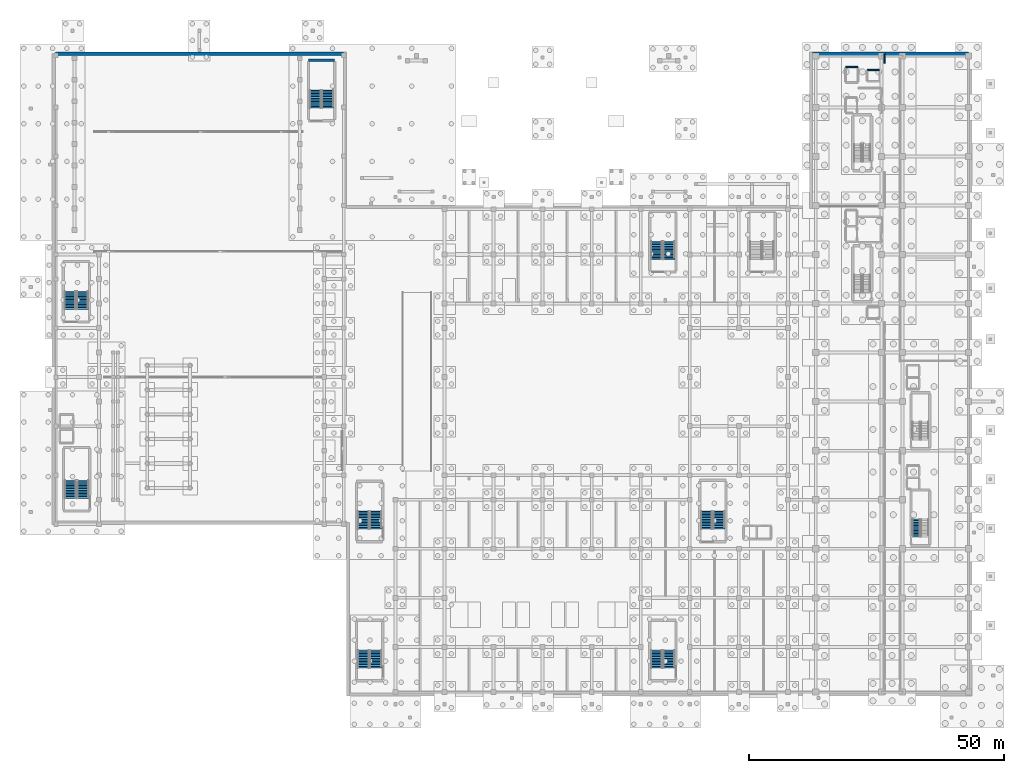
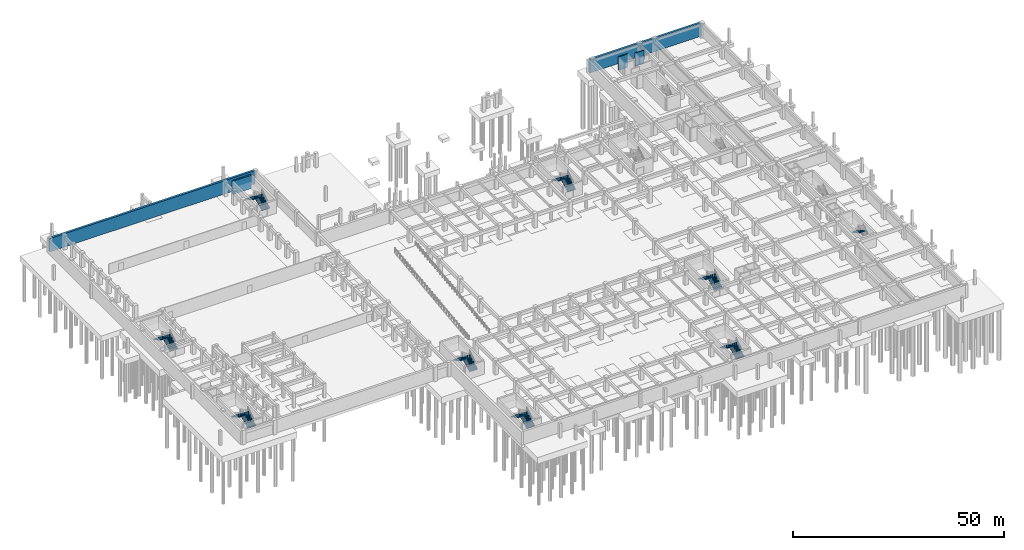
# One storey, part 24 of 39: 17 stair flights, 6 walls, 9 elements without a shape of their own.
"""IFC4 building model written with IfcOpenShell, lengths in metres."""

from ifc_helpers import new_model, si_unit, direction, frame, frame_2d, origin, place, context, subcontext, project, spatial, polyline, rectangle, outline, extrude, material, layer, layer_set, type_object, element, aggregate, save


model = new_model("IFC4")

# Units and contexts
model_context = context("Model", 3, precision=1e-05, world=origin(), true_north=direction((0.0, 1.0)))
body_context = subcontext(model_context, "Body", "Model", "MODEL_VIEW")
ifc_project = project(units=[si_unit("LENGTHUNIT", "METRE"), si_unit("AREAUNIT", "SQUARE_METRE"), si_unit("VOLUMEUNIT", "CUBIC_METRE"), si_unit("PLANEANGLEUNIT", "RADIAN"), si_unit("MASSUNIT", "GRAM", prefix="KILO")], contexts=[model_context])

# Site, building, storey
site_placement = place(None, origin())
site = spatial("IfcSite", under=ifc_project, at=site_placement, CompositionType="ELEMENT")
building_placement = place(site_placement, origin())
building = spatial("IfcBuilding", under=site, at=building_placement, Name="Nakhvara Creek Congress Hotel", CompositionType="ELEMENT")
storey_placement = place(building_placement, frame((0.0, 0.0, -8.39990234375)))
storey = spatial("IfcBuildingStorey", under=building, at=storey_placement, Name="B2", CompositionType="ELEMENT", Elevation=-8.39990234375)

# Walls
ifc_material_1 = material(Name="Concrete C50/60", Category="concrete")
ifc_layer_1 = layer(ifc_material_1, 0.449951171875)
ifc_layer_set_1 = layer_set([ifc_layer_1], Name="Concrete C50/60")
wall_type_1 = type_object("IfcWallType", Name="W-CORE-450", PredefinedType="SHEAR", material=ifc_layer_set_1)
wall_1_placement = place(storey_placement, frame((50.14990234375, 124.419921875, 0.0), z_axis=(0.0, 0.0, 1.0), x_axis=(1.0, 0.0, 0.0)))
element("IfcWall", 1, at=wall_1_placement, inside=storey, type_object=wall_type_1, Name="Core Shear Wall WS02-CWALL-B2-0872", PredefinedType="SHEAR", context=body_context, shape_type="SweptSolid", body=[
    extrude(rectangle(XDim=5.150146484375, YDim=0.449951171875, at=frame_2d((2.5751953125, 0.0))), origin(), (0.0, 0.0, 1.0), 3.85986328125),
])
ifc_material_2 = material(Name="Gypsum acoustic board on steel stud", Category="steel")
ifc_layer_2 = layer(ifc_material_2, 0.219970703125)
ifc_layer_set_2 = layer_set([ifc_layer_2], Name="Gypsum acoustic board on steel stud")
wall_type_2 = type_object("IfcWallType", Name="W-CORR-220", PredefinedType="PARTITIONING", material=ifc_layer_set_2)
wall_2_placement = place(storey_placement, frame((162.919921875, 123.800048828125, 0.0), z_axis=(0.0, 0.0, 1.0), x_axis=(0.0, 1.0, 0.0)))
element("IfcWall", 2, at=wall_2_placement, inside=storey, type_object=wall_type_2, Name="Interior Wall WP11-IW-B2-0029", PredefinedType="PARTITIONING", context=body_context, shape_type="SweptSolid", body=[
    extrude(rectangle(XDim=1.849853515625, YDim=0.219970703125, at=frame_2d((0.9248046875, 0.0))), origin(), (0.0, 0.0, 1.0), 3.101806640625),
])
ifc_material_3 = material(Name="Concrete C40/50", Category="concrete")
ifc_layer_3 = layer(ifc_material_3, 0.60009765625)
ifc_layer_set_3 = layer_set([ifc_layer_3], Name="Concrete C40/50")
wall_type_3 = type_object("IfcWallType", Name="W-RET-600", PredefinedType="USERDEFINED", material=ifc_layer_set_3)
wall_3_placement = place(storey_placement, frame((0.60009765625, 125.699951171875, 0.0), z_axis=(0.0, 0.0, 1.0), x_axis=(1.0, 0.0, 0.0)))
element("IfcWall", 3, at=wall_3_placement, inside=storey, type_object=wall_type_3, Name="Exterior Wall WR01-EW-B2-0002", ObjectType="RETAININGWALL", PredefinedType="USERDEFINED", context=body_context, shape_type="SweptSolid", body=[
    extrude(rectangle(XDim=56.39990234375, YDim=0.60009765625, at=frame_2d((28.199951171875, 0.0))), origin(), (0.0, 0.0, 1.0), 3.85986328125),
])
wall_4_placement = place(storey_placement, frame((148.800048828125, 125.699951171875, 0.0), z_axis=(0.0, 0.0, 1.0), x_axis=(1.0, 0.0, 0.0)))
element("IfcWall", 4, at=wall_4_placement, inside=storey, type_object=wall_type_3, Name="Exterior Wall WR01-EW-B2-0006", ObjectType="RETAININGWALL", PredefinedType="USERDEFINED", context=body_context, shape_type="SweptSolid", body=[
    extrude(rectangle(XDim=30.599853515625, YDim=0.60009765625, at=frame_2d((15.2998046875, 0.0))), origin(), (0.0, 0.0, 1.0), 3.85986328125),
])
ifc_layer_4 = layer(ifc_material_3, 0.25)
ifc_layer_set_4 = layer_set([ifc_layer_4], Name="Concrete C40/50")
wall_type_4 = type_object("IfcWallType", Name="W-SHAFT-250", PredefinedType="SOLIDWALL", material=ifc_layer_set_4)
for number, where, z_axis, x_axis, name in (
    (5, (159.489990234375, 122.510009765625, 0.0), (0.0, 0.0, 1.0), (1.0, 0.0, 0.0), "Core Shear Wall WI02-CWALL-B2-0277"),
    (6, (155.2900390625, 123.110107421875, 0.0), (0.0, 0.0, 1.0), (1.0, 0.0, 0.0), "Core Shear Wall WI02-CWALL-B2-0281"),
):
    element("IfcWall", number, at=place(storey_placement, frame(where, z_axis=z_axis, x_axis=x_axis)), inside=storey, type_object=wall_type_4, Name=name, PredefinedType="SOLIDWALL", context=body_context, shape_type="SweptSolid", body=[
        extrude(rectangle(XDim=2.419921875, YDim=0.25, at=frame_2d((1.2099609375, 0.0))), origin(), (0.0, 0.0, 1.0), 3.85986328125),
    ])

# Stair, stair flight
stair_type_1 = type_object("IfcStairType", Name="ST-CORE-160", PredefinedType="HALF_TURN_STAIR", material=ifc_material_3)
stair_1_placement = place(storey_placement, origin())
stair_1 = element("IfcStair", 7, at=stair_1_placement, inside=storey, type_object=stair_type_1, Name="B2 Protected Exit Stair ST03", PredefinedType="HALF_TURN_STAIR")
ifc_layer_5 = layer(ifc_material_3, 0.18994140625)
ifc_layer_set_5 = layer_set([ifc_layer_5], Name="Concrete C40/50")
stair_flight_type_1 = type_object("IfcStairFlightType", Name="SFL-RC-160", PredefinedType="STRAIGHT", material=ifc_layer_set_5)
stair_flight_1_placement = place(storey_placement, frame((169.090087890625, 34.60498046875, 2.099853515625), z_axis=(0.0, 0.0, 1.0), x_axis=(0.0, -1.0, 0.0)))
stair_flight_1 = element("IfcStairFlight", 8, at=stair_flight_1_placement, type_object=stair_flight_type_1, Name="ST03 flight 2", NumberOfRisers=12, NumberOfTreads=11, PredefinedType="STRAIGHT", RiserHeight=0.175, TreadLength=0.315, context=body_context, shape_type="SweptSolid", body=[
    extrude(outline(polyline([(-0.048095703125, 0.0), (0.0, 0.0), (0.0, 0.175048828125), (0.31494140625, 0.175048828125), (0.31494140625, 0.35009765625), (0.6298828125, 0.35009765625), (0.6298828125, 0.52490234375), (0.945068359375, 0.52490234375), (0.945068359375, 0.699951171875), (1.260009765625, 0.699951171875), (1.260009765625, 0.875), (1.574951171875, 0.875), (1.574951171875, 1.050048828125), (1.889892578125, 1.050048828125), (1.889892578125, 1.22509765625), (2.205078125, 1.22509765625), (2.205078125, 1.39990234375), (2.52001953125, 1.39990234375), (2.52001953125, 1.574951171875), (2.8349609375, 1.574951171875), (2.8349609375, 1.75), (3.14990234375, 1.75), (3.14990234375, 1.925048828125), (3.465087890625, 1.925048828125), (3.465087890625, 2.10009765625), (3.51318359375, 2.10009765625), (3.51318359375, 1.9501953125), (3.465087890625, 1.75341796875), (0.038818359375, -0.14990234375), (-0.048095703125, -0.14990234375), (-0.048095703125, 0.0)])), frame((0.0, 0.77001953125, 0.0), z_axis=(0.0, -1.0, 0.0), x_axis=(1.0, 0.0, 0.0)), (0.0, 0.0, 1.0), 1.5400390625),
])
aggregate(stair_1, [stair_flight_1])

# Stair, stair flights
stair_type_2 = type_object("IfcStairType", Name="ST-CORE-230", PredefinedType="HALF_TURN_STAIR", material=ifc_material_3)
stair_2_placement = place(storey_placement, origin())
stair_2 = element("IfcStair", 9, at=stair_2_placement, inside=storey, type_object=stair_type_2, Name="B2 Protected Exit Stair ST05", PredefinedType="HALF_TURN_STAIR")
ifc_layer_6 = layer(ifc_material_3, 0.219970703125)
ifc_layer_set_6 = layer_set([ifc_layer_6], Name="Concrete C40/50")
stair_flight_type_2 = type_object("IfcStairFlightType", Name="SFL-RC-230", PredefinedType="STRAIGHT", material=ifc_layer_set_6)
stair_flight_2_placement = place(storey_placement, frame((6.02001953125, 38.679931640625, 0.0), z_axis=(0.0, 0.0, 1.0), x_axis=(0.0, 1.0, 0.0)))
stair_flight_2 = element("IfcStairFlight", 10, at=stair_flight_2_placement, type_object=stair_flight_type_2, Name="ST05 flight 1", NumberOfRisers=12, NumberOfTreads=11, PredefinedType="STRAIGHT", RiserHeight=0.175, TreadLength=0.315, context=body_context, shape_type="SweptSolid", body=[
    extrude(outline(polyline([(-0.048095703125, 0.0), (0.0, 0.0), (0.0, 0.175048828125), (0.31494140625, 0.175048828125), (0.31494140625, 0.35009765625), (0.6298828125, 0.35009765625), (0.6298828125, 0.52490234375), (0.945068359375, 0.52490234375), (0.945068359375, 0.699951171875), (1.260009765625, 0.699951171875), (1.260009765625, 0.875), (1.574951171875, 0.875), (1.574951171875, 1.050048828125), (1.889892578125, 1.050048828125), (1.889892578125, 1.22509765625), (2.205078125, 1.22509765625), (2.205078125, 1.39990234375), (2.52001953125, 1.39990234375), (2.52001953125, 1.574951171875), (2.8349609375, 1.574951171875), (2.8349609375, 1.75), (3.14990234375, 1.75), (3.14990234375, 1.925048828125), (3.465087890625, 1.925048828125), (3.465087890625, 2.10009765625), (3.51318359375, 2.10009765625), (3.51318359375, 1.9501953125), (3.465087890625, 1.75341796875), (0.038818359375, -0.14990234375), (-0.048095703125, -0.14990234375), (-0.048095703125, 0.0)])), frame((0.0, 1.14013671875, 0.0), z_axis=(0.0, -1.0, 0.0), x_axis=(1.0, 0.0, 0.0)), (0.0, 0.0, 1.0), 2.280029296875),
])
stair_flight_3_placement = place(storey_placement, frame((3.590087890625, 42.14501953125, 2.099853515625), z_axis=(0.0, 0.0, 1.0), x_axis=(0.0, -1.0, 0.0)))
stair_flight_3 = element("IfcStairFlight", 11, at=stair_flight_3_placement, type_object=stair_flight_type_2, Name="ST05 flight 2", NumberOfRisers=12, NumberOfTreads=11, PredefinedType="STRAIGHT", RiserHeight=0.175, TreadLength=0.315, context=body_context, shape_type="SweptSolid", body=[
    extrude(outline(polyline([(-0.048095703125, 0.0), (0.0, 0.0), (0.0, 0.175048828125), (0.31494140625, 0.175048828125), (0.31494140625, 0.35009765625), (0.6298828125, 0.35009765625), (0.6298828125, 0.52490234375), (0.945068359375, 0.52490234375), (0.945068359375, 0.699951171875), (1.260009765625, 0.699951171875), (1.260009765625, 0.875), (1.574951171875, 0.875), (1.574951171875, 1.050048828125), (1.889892578125, 1.050048828125), (1.889892578125, 1.22509765625), (2.205078125, 1.22509765625), (2.205078125, 1.39990234375), (2.52001953125, 1.39990234375), (2.52001953125, 1.574951171875), (2.8349609375, 1.574951171875), (2.8349609375, 1.75), (3.14990234375, 1.75), (3.14990234375, 1.925048828125), (3.465087890625, 1.925048828125), (3.465087890625, 2.10009765625), (3.51318359375, 2.10009765625), (3.51318359375, 1.9501953125), (3.465087890625, 1.75341796875), (0.038818359375, -0.14990234375), (-0.048095703125, -0.14990234375), (-0.048095703125, 0.0)])), frame((0.0, 1.14013671875, 0.0), z_axis=(0.0, -1.0, 0.0), x_axis=(1.0, 0.0, 0.0)), (0.0, 0.0, 1.0), 2.280029296875),
])
aggregate(stair_2, [stair_flight_2, stair_flight_3])

stair_3_placement = place(storey_placement, origin())
stair_3 = element("IfcStair", 12, at=stair_3_placement, inside=storey, type_object=stair_type_2, Name="B2 Protected Exit Stair ST06", PredefinedType="HALF_TURN_STAIR")
stair_flight_4_placement = place(storey_placement, frame((130.52001953125, 32.679931640625, 0.0), z_axis=(0.0, 0.0, 1.0), x_axis=(0.0, 1.0, 0.0)))
stair_flight_4 = element("IfcStairFlight", 13, at=stair_flight_4_placement, type_object=stair_flight_type_2, Name="ST06 flight 1", NumberOfRisers=12, NumberOfTreads=11, PredefinedType="STRAIGHT", RiserHeight=0.175, TreadLength=0.315, context=body_context, shape_type="SweptSolid", body=[
    extrude(outline(polyline([(-0.048095703125, 0.0), (0.0, 0.0), (0.0, 0.175048828125), (0.31494140625, 0.175048828125), (0.31494140625, 0.35009765625), (0.6298828125, 0.35009765625), (0.6298828125, 0.52490234375), (0.945068359375, 0.52490234375), (0.945068359375, 0.699951171875), (1.260009765625, 0.699951171875), (1.260009765625, 0.875), (1.574951171875, 0.875), (1.574951171875, 1.050048828125), (1.889892578125, 1.050048828125), (1.889892578125, 1.22509765625), (2.205078125, 1.22509765625), (2.205078125, 1.39990234375), (2.52001953125, 1.39990234375), (2.52001953125, 1.574951171875), (2.8349609375, 1.574951171875), (2.8349609375, 1.75), (3.14990234375, 1.75), (3.14990234375, 1.925048828125), (3.465087890625, 1.925048828125), (3.465087890625, 2.10009765625), (3.51318359375, 2.10009765625), (3.51318359375, 1.9501953125), (3.465087890625, 1.75341796875), (0.038818359375, -0.14990234375), (-0.048095703125, -0.14990234375), (-0.048095703125, 0.0)])), frame((0.0, 1.14013671875, 0.0), z_axis=(0.0, -1.0, 0.0), x_axis=(1.0, 0.0, 0.0)), (0.0, 0.0, 1.0), 2.280029296875),
])
stair_flight_5_placement = place(storey_placement, frame((128.090087890625, 36.14501953125, 2.099853515625), z_axis=(0.0, 0.0, 1.0), x_axis=(0.0, -1.0, 0.0)))
stair_flight_5 = element("IfcStairFlight", 14, at=stair_flight_5_placement, type_object=stair_flight_type_2, Name="ST06 flight 2", NumberOfRisers=12, NumberOfTreads=11, PredefinedType="STRAIGHT", RiserHeight=0.175, TreadLength=0.315, context=body_context, shape_type="SweptSolid", body=[
    extrude(outline(polyline([(-0.048095703125, 0.0), (0.0, 0.0), (0.0, 0.175048828125), (0.31494140625, 0.175048828125), (0.31494140625, 0.35009765625), (0.6298828125, 0.35009765625), (0.6298828125, 0.52490234375), (0.945068359375, 0.52490234375), (0.945068359375, 0.699951171875), (1.260009765625, 0.699951171875), (1.260009765625, 0.875), (1.574951171875, 0.875), (1.574951171875, 1.050048828125), (1.889892578125, 1.050048828125), (1.889892578125, 1.22509765625), (2.205078125, 1.22509765625), (2.205078125, 1.39990234375), (2.52001953125, 1.39990234375), (2.52001953125, 1.574951171875), (2.8349609375, 1.574951171875), (2.8349609375, 1.75), (3.14990234375, 1.75), (3.14990234375, 1.925048828125), (3.465087890625, 1.925048828125), (3.465087890625, 2.10009765625), (3.51318359375, 2.10009765625), (3.51318359375, 1.9501953125), (3.465087890625, 1.75341796875), (0.038818359375, -0.14990234375), (-0.048095703125, -0.14990234375), (-0.048095703125, 0.0)])), frame((0.0, 1.14013671875, 0.0), z_axis=(0.0, -1.0, 0.0), x_axis=(1.0, 0.0, 0.0)), (0.0, 0.0, 1.0), 2.280029296875),
])
aggregate(stair_3, [stair_flight_4, stair_flight_5])

stair_4_placement = place(storey_placement, origin())
stair_4 = element("IfcStair", 15, at=stair_4_placement, inside=storey, type_object=stair_type_2, Name="B2 Protected Exit Stair ST07", PredefinedType="HALF_TURN_STAIR")
stair_flight_6_placement = place(storey_placement, frame((5.93994140625, 75.679931640625, 0.0), z_axis=(0.0, 0.0, 1.0), x_axis=(0.0, 1.0, 0.0)))
stair_flight_6 = element("IfcStairFlight", 16, at=stair_flight_6_placement, type_object=stair_flight_type_2, Name="ST07 flight 1", NumberOfRisers=12, NumberOfTreads=11, PredefinedType="STRAIGHT", RiserHeight=0.175, TreadLength=0.315, context=body_context, shape_type="SweptSolid", body=[
    extrude(outline(polyline([(-0.048095703125, 0.0), (0.0, 0.0), (0.0, 0.175048828125), (0.31494140625, 0.175048828125), (0.31494140625, 0.35009765625), (0.6298828125, 0.35009765625), (0.6298828125, 0.52490234375), (0.945068359375, 0.52490234375), (0.945068359375, 0.699951171875), (1.260009765625, 0.699951171875), (1.260009765625, 0.875), (1.574951171875, 0.875), (1.574951171875, 1.050048828125), (1.889892578125, 1.050048828125), (1.889892578125, 1.22509765625), (2.205078125, 1.22509765625), (2.205078125, 1.39990234375), (2.52001953125, 1.39990234375), (2.52001953125, 1.574951171875), (2.8349609375, 1.574951171875), (2.8349609375, 1.75), (3.14990234375, 1.75), (3.14990234375, 1.925048828125), (3.465087890625, 1.925048828125), (3.465087890625, 2.10009765625), (3.51318359375, 2.10009765625), (3.51318359375, 1.9501953125), (3.465087890625, 1.75341796875), (0.038818359375, -0.14990234375), (-0.048095703125, -0.14990234375), (-0.048095703125, 0.0)])), frame((0.0, 1.14013671875, 0.0), z_axis=(0.0, -1.0, 0.0), x_axis=(1.0, 0.0, 0.0)), (0.0, 0.0, 1.0), 2.280029296875),
])
stair_flight_7_placement = place(storey_placement, frame((3.510009765625, 79.14501953125, 2.099853515625), z_axis=(0.0, 0.0, 1.0), x_axis=(0.0, -1.0, 0.0)))
stair_flight_7 = element("IfcStairFlight", 17, at=stair_flight_7_placement, type_object=stair_flight_type_2, Name="ST07 flight 2", NumberOfRisers=12, NumberOfTreads=11, PredefinedType="STRAIGHT", RiserHeight=0.175, TreadLength=0.315, context=body_context, shape_type="SweptSolid", body=[
    extrude(outline(polyline([(-0.048095703125, 0.0), (0.0, 0.0), (0.0, 0.175048828125), (0.31494140625, 0.175048828125), (0.31494140625, 0.35009765625), (0.6298828125, 0.35009765625), (0.6298828125, 0.52490234375), (0.945068359375, 0.52490234375), (0.945068359375, 0.699951171875), (1.260009765625, 0.699951171875), (1.260009765625, 0.875), (1.574951171875, 0.875), (1.574951171875, 1.050048828125), (1.889892578125, 1.050048828125), (1.889892578125, 1.22509765625), (2.205078125, 1.22509765625), (2.205078125, 1.39990234375), (2.52001953125, 1.39990234375), (2.52001953125, 1.574951171875), (2.8349609375, 1.574951171875), (2.8349609375, 1.75), (3.14990234375, 1.75), (3.14990234375, 1.925048828125), (3.465087890625, 1.925048828125), (3.465087890625, 2.10009765625), (3.51318359375, 2.10009765625), (3.51318359375, 1.9501953125), (3.465087890625, 1.75341796875), (0.038818359375, -0.14990234375), (-0.048095703125, -0.14990234375), (-0.048095703125, 0.0)])), frame((0.0, 1.14013671875, 0.0), z_axis=(0.0, -1.0, 0.0), x_axis=(1.0, 0.0, 0.0)), (0.0, 0.0, 1.0), 2.280029296875),
])
aggregate(stair_4, [stair_flight_6, stair_flight_7])

stair_5_placement = place(storey_placement, origin())
stair_5 = element("IfcStair", 18, at=stair_5_placement, inside=storey, type_object=stair_type_2, Name="B2 Protected Exit Stair ST08", PredefinedType="HALF_TURN_STAIR")
stair_flight_8_placement = place(storey_placement, frame((53.93994140625, 115.080078125, 0.0), z_axis=(0.0, 0.0, 1.0), x_axis=(0.0, 1.0, 0.0)))
stair_flight_8 = element("IfcStairFlight", 19, at=stair_flight_8_placement, type_object=stair_flight_type_2, Name="ST08 flight 1", NumberOfRisers=12, NumberOfTreads=11, PredefinedType="STRAIGHT", RiserHeight=0.175, TreadLength=0.315, context=body_context, shape_type="SweptSolid", body=[
    extrude(outline(polyline([(-0.048095703125, 0.0), (0.0, 0.0), (0.0, 0.175048828125), (0.31494140625, 0.175048828125), (0.31494140625, 0.35009765625), (0.6298828125, 0.35009765625), (0.6298828125, 0.52490234375), (0.945068359375, 0.52490234375), (0.945068359375, 0.699951171875), (1.260009765625, 0.699951171875), (1.260009765625, 0.875), (1.574951171875, 0.875), (1.574951171875, 1.050048828125), (1.889892578125, 1.050048828125), (1.889892578125, 1.22509765625), (2.205078125, 1.22509765625), (2.205078125, 1.39990234375), (2.52001953125, 1.39990234375), (2.52001953125, 1.574951171875), (2.8349609375, 1.574951171875), (2.8349609375, 1.75), (3.14990234375, 1.75), (3.14990234375, 1.925048828125), (3.465087890625, 1.925048828125), (3.465087890625, 2.10009765625), (3.51318359375, 2.10009765625), (3.51318359375, 1.9501953125), (3.465087890625, 1.75341796875), (0.038818359375, -0.14990234375), (-0.048095703125, -0.14990234375), (-0.048095703125, 0.0)])), frame((0.0, 1.14013671875, 0.0), z_axis=(0.0, -1.0, 0.0), x_axis=(1.0, 0.0, 0.0)), (0.0, 0.0, 1.0), 2.280029296875),
])
stair_flight_9_placement = place(storey_placement, frame((51.510009765625, 118.544921875, 2.099853515625), z_axis=(0.0, 0.0, 1.0), x_axis=(0.0, -1.0, 0.0)))
stair_flight_9 = element("IfcStairFlight", 20, at=stair_flight_9_placement, type_object=stair_flight_type_2, Name="ST08 flight 2", NumberOfRisers=12, NumberOfTreads=11, PredefinedType="STRAIGHT", RiserHeight=0.175, TreadLength=0.315, context=body_context, shape_type="SweptSolid", body=[
    extrude(outline(polyline([(-0.048095703125, 0.0), (0.0, 0.0), (0.0, 0.175048828125), (0.31494140625, 0.175048828125), (0.31494140625, 0.35009765625), (0.6298828125, 0.35009765625), (0.6298828125, 0.52490234375), (0.945068359375, 0.52490234375), (0.945068359375, 0.699951171875), (1.260009765625, 0.699951171875), (1.260009765625, 0.875), (1.574951171875, 0.875), (1.574951171875, 1.050048828125), (1.889892578125, 1.050048828125), (1.889892578125, 1.22509765625), (2.205078125, 1.22509765625), (2.205078125, 1.39990234375), (2.52001953125, 1.39990234375), (2.52001953125, 1.574951171875), (2.8349609375, 1.574951171875), (2.8349609375, 1.75), (3.14990234375, 1.75), (3.14990234375, 1.925048828125), (3.465087890625, 1.925048828125), (3.465087890625, 2.10009765625), (3.51318359375, 2.10009765625), (3.51318359375, 1.9501953125), (3.465087890625, 1.75341796875), (0.038818359375, -0.14990234375), (-0.048095703125, -0.14990234375), (-0.048095703125, 0.0)])), frame((0.0, 1.14013671875, 0.0), z_axis=(0.0, -1.0, 0.0), x_axis=(1.0, 0.0, 0.0)), (0.0, 0.0, 1.0), 2.280029296875),
])
aggregate(stair_5, [stair_flight_8, stair_flight_9])

stair_6_placement = place(storey_placement, origin())
stair_6 = element("IfcStair", 21, at=stair_6_placement, inside=storey, type_object=stair_type_2, Name="B2 Protected Exit Stair ST09", PredefinedType="HALF_TURN_STAIR")
stair_flight_10_placement = place(storey_placement, frame((120.739990234375, 85.47998046875, 0.0), z_axis=(0.0, 0.0, 1.0), x_axis=(0.0, 1.0, 0.0)))
stair_flight_10 = element("IfcStairFlight", 22, at=stair_flight_10_placement, type_object=stair_flight_type_2, Name="ST09 flight 1", NumberOfRisers=12, NumberOfTreads=11, PredefinedType="STRAIGHT", RiserHeight=0.175, TreadLength=0.315, context=body_context, shape_type="SweptSolid", body=[
    extrude(outline(polyline([(-0.048095703125, 0.0), (0.0, 0.0), (0.0, 0.175048828125), (0.31494140625, 0.175048828125), (0.31494140625, 0.35009765625), (0.6298828125, 0.35009765625), (0.6298828125, 0.52490234375), (0.945068359375, 0.52490234375), (0.945068359375, 0.699951171875), (1.260009765625, 0.699951171875), (1.260009765625, 0.875), (1.574951171875, 0.875), (1.574951171875, 1.050048828125), (1.889892578125, 1.050048828125), (1.889892578125, 1.22509765625), (2.205078125, 1.22509765625), (2.205078125, 1.39990234375), (2.52001953125, 1.39990234375), (2.52001953125, 1.574951171875), (2.8349609375, 1.574951171875), (2.8349609375, 1.75), (3.14990234375, 1.75), (3.14990234375, 1.925048828125), (3.465087890625, 1.925048828125), (3.465087890625, 2.10009765625), (3.51318359375, 2.10009765625), (3.51318359375, 1.9501953125), (3.465087890625, 1.75341796875), (0.038818359375, -0.14990234375), (-0.048095703125, -0.14990234375), (-0.048095703125, 0.0)])), frame((0.0, 1.14013671875, 0.0), z_axis=(0.0, -1.0, 0.0), x_axis=(1.0, 0.0, 0.0)), (0.0, 0.0, 1.0), 2.280029296875),
])
stair_flight_11_placement = place(storey_placement, frame((118.31005859375, 88.945068359375, 2.099853515625), z_axis=(0.0, 0.0, 1.0), x_axis=(0.0, -1.0, 0.0)))
stair_flight_11 = element("IfcStairFlight", 23, at=stair_flight_11_placement, type_object=stair_flight_type_2, Name="ST09 flight 2", NumberOfRisers=12, NumberOfTreads=11, PredefinedType="STRAIGHT", RiserHeight=0.175, TreadLength=0.315, context=body_context, shape_type="SweptSolid", body=[
    extrude(outline(polyline([(-0.048095703125, 0.0), (0.0, 0.0), (0.0, 0.175048828125), (0.31494140625, 0.175048828125), (0.31494140625, 0.35009765625), (0.6298828125, 0.35009765625), (0.6298828125, 0.52490234375), (0.945068359375, 0.52490234375), (0.945068359375, 0.699951171875), (1.260009765625, 0.699951171875), (1.260009765625, 0.875), (1.574951171875, 0.875), (1.574951171875, 1.050048828125), (1.889892578125, 1.050048828125), (1.889892578125, 1.22509765625), (2.205078125, 1.22509765625), (2.205078125, 1.39990234375), (2.52001953125, 1.39990234375), (2.52001953125, 1.574951171875), (2.8349609375, 1.574951171875), (2.8349609375, 1.75), (3.14990234375, 1.75), (3.14990234375, 1.925048828125), (3.465087890625, 1.925048828125), (3.465087890625, 2.10009765625), (3.51318359375, 2.10009765625), (3.51318359375, 1.9501953125), (3.465087890625, 1.75341796875), (0.038818359375, -0.14990234375), (-0.048095703125, -0.14990234375), (-0.048095703125, 0.0)])), frame((0.0, 1.14013671875, 0.0), z_axis=(0.0, -1.0, 0.0), x_axis=(1.0, 0.0, 0.0)), (0.0, 0.0, 1.0), 2.280029296875),
])
aggregate(stair_6, [stair_flight_10, stair_flight_11])

stair_7_placement = place(storey_placement, origin())
stair_7 = element("IfcStair", 24, at=stair_7_placement, inside=storey, type_object=stair_type_2, Name="B2 Protected Exit Stair ST11", PredefinedType="HALF_TURN_STAIR")
stair_flight_12_placement = place(storey_placement, frame((63.340087890625, 5.47998046875, 0.0), z_axis=(0.0, 0.0, 1.0), x_axis=(0.0, 1.0, 0.0)))
stair_flight_12 = element("IfcStairFlight", 25, at=stair_flight_12_placement, type_object=stair_flight_type_2, Name="ST11 flight 1", NumberOfRisers=12, NumberOfTreads=11, PredefinedType="STRAIGHT", RiserHeight=0.175, TreadLength=0.315, context=body_context, shape_type="SweptSolid", body=[
    extrude(outline(polyline([(-0.048095703125, 0.0), (0.0, 0.0), (0.0, 0.175048828125), (0.31494140625, 0.175048828125), (0.31494140625, 0.35009765625), (0.6298828125, 0.35009765625), (0.6298828125, 0.52490234375), (0.945068359375, 0.52490234375), (0.945068359375, 0.699951171875), (1.260009765625, 0.699951171875), (1.260009765625, 0.875), (1.574951171875, 0.875), (1.574951171875, 1.050048828125), (1.889892578125, 1.050048828125), (1.889892578125, 1.22509765625), (2.205078125, 1.22509765625), (2.205078125, 1.39990234375), (2.52001953125, 1.39990234375), (2.52001953125, 1.574951171875), (2.8349609375, 1.574951171875), (2.8349609375, 1.75), (3.14990234375, 1.75), (3.14990234375, 1.925048828125), (3.465087890625, 1.925048828125), (3.465087890625, 2.10009765625), (3.51318359375, 2.10009765625), (3.51318359375, 1.9501953125), (3.465087890625, 1.75341796875), (0.038818359375, -0.14990234375), (-0.048095703125, -0.14990234375), (-0.048095703125, 0.0)])), frame((0.0, 1.14013671875, 0.0), z_axis=(0.0, -1.0, 0.0), x_axis=(1.0, 0.0, 0.0)), (0.0, 0.0, 1.0), 2.280029296875),
])
stair_flight_13_placement = place(storey_placement, frame((60.909912109375, 8.945068359375, 2.099853515625), z_axis=(0.0, 0.0, 1.0), x_axis=(0.0, -1.0, 0.0)))
stair_flight_13 = element("IfcStairFlight", 26, at=stair_flight_13_placement, type_object=stair_flight_type_2, Name="ST11 flight 2", NumberOfRisers=12, NumberOfTreads=11, PredefinedType="STRAIGHT", RiserHeight=0.175, TreadLength=0.315, context=body_context, shape_type="SweptSolid", body=[
    extrude(outline(polyline([(-0.048095703125, 0.0), (0.0, 0.0), (0.0, 0.175048828125), (0.31494140625, 0.175048828125), (0.31494140625, 0.35009765625), (0.6298828125, 0.35009765625), (0.6298828125, 0.52490234375), (0.945068359375, 0.52490234375), (0.945068359375, 0.699951171875), (1.260009765625, 0.699951171875), (1.260009765625, 0.875), (1.574951171875, 0.875), (1.574951171875, 1.050048828125), (1.889892578125, 1.050048828125), (1.889892578125, 1.22509765625), (2.205078125, 1.22509765625), (2.205078125, 1.39990234375), (2.52001953125, 1.39990234375), (2.52001953125, 1.574951171875), (2.8349609375, 1.574951171875), (2.8349609375, 1.75), (3.14990234375, 1.75), (3.14990234375, 1.925048828125), (3.465087890625, 1.925048828125), (3.465087890625, 2.10009765625), (3.51318359375, 2.10009765625), (3.51318359375, 1.9501953125), (3.465087890625, 1.75341796875), (0.038818359375, -0.14990234375), (-0.048095703125, -0.14990234375), (-0.048095703125, 0.0)])), frame((0.0, 1.14013671875, 0.0), z_axis=(0.0, -1.0, 0.0), x_axis=(1.0, 0.0, 0.0)), (0.0, 0.0, 1.0), 2.280029296875),
])
aggregate(stair_7, [stair_flight_12, stair_flight_13])

stair_8_placement = place(storey_placement, origin())
stair_8 = element("IfcStair", 27, at=stair_8_placement, inside=storey, type_object=stair_type_2, Name="B2 Protected Exit Stair ST12", PredefinedType="HALF_TURN_STAIR")
stair_flight_14_placement = place(storey_placement, frame((120.739990234375, 5.47998046875, 0.0), z_axis=(0.0, 0.0, 1.0), x_axis=(0.0, 1.0, 0.0)))
stair_flight_14 = element("IfcStairFlight", 28, at=stair_flight_14_placement, type_object=stair_flight_type_2, Name="ST12 flight 1", NumberOfRisers=12, NumberOfTreads=11, PredefinedType="STRAIGHT", RiserHeight=0.175, TreadLength=0.315, context=body_context, shape_type="SweptSolid", body=[
    extrude(outline(polyline([(-0.048095703125, 0.0), (0.0, 0.0), (0.0, 0.175048828125), (0.31494140625, 0.175048828125), (0.31494140625, 0.35009765625), (0.6298828125, 0.35009765625), (0.6298828125, 0.52490234375), (0.945068359375, 0.52490234375), (0.945068359375, 0.699951171875), (1.260009765625, 0.699951171875), (1.260009765625, 0.875), (1.574951171875, 0.875), (1.574951171875, 1.050048828125), (1.889892578125, 1.050048828125), (1.889892578125, 1.22509765625), (2.205078125, 1.22509765625), (2.205078125, 1.39990234375), (2.52001953125, 1.39990234375), (2.52001953125, 1.574951171875), (2.8349609375, 1.574951171875), (2.8349609375, 1.75), (3.14990234375, 1.75), (3.14990234375, 1.925048828125), (3.465087890625, 1.925048828125), (3.465087890625, 2.10009765625), (3.51318359375, 2.10009765625), (3.51318359375, 1.9501953125), (3.465087890625, 1.75341796875), (0.038818359375, -0.14990234375), (-0.048095703125, -0.14990234375), (-0.048095703125, 0.0)])), frame((0.0, 1.14013671875, 0.0), z_axis=(0.0, -1.0, 0.0), x_axis=(1.0, 0.0, 0.0)), (0.0, 0.0, 1.0), 2.280029296875),
])
stair_flight_15_placement = place(storey_placement, frame((118.31005859375, 8.945068359375, 2.099853515625), z_axis=(0.0, 0.0, 1.0), x_axis=(0.0, -1.0, 0.0)))
stair_flight_15 = element("IfcStairFlight", 29, at=stair_flight_15_placement, type_object=stair_flight_type_2, Name="ST12 flight 2", NumberOfRisers=12, NumberOfTreads=11, PredefinedType="STRAIGHT", RiserHeight=0.175, TreadLength=0.315, context=body_context, shape_type="SweptSolid", body=[
    extrude(outline(polyline([(-0.048095703125, 0.0), (0.0, 0.0), (0.0, 0.175048828125), (0.31494140625, 0.175048828125), (0.31494140625, 0.35009765625), (0.6298828125, 0.35009765625), (0.6298828125, 0.52490234375), (0.945068359375, 0.52490234375), (0.945068359375, 0.699951171875), (1.260009765625, 0.699951171875), (1.260009765625, 0.875), (1.574951171875, 0.875), (1.574951171875, 1.050048828125), (1.889892578125, 1.050048828125), (1.889892578125, 1.22509765625), (2.205078125, 1.22509765625), (2.205078125, 1.39990234375), (2.52001953125, 1.39990234375), (2.52001953125, 1.574951171875), (2.8349609375, 1.574951171875), (2.8349609375, 1.75), (3.14990234375, 1.75), (3.14990234375, 1.925048828125), (3.465087890625, 1.925048828125), (3.465087890625, 2.10009765625), (3.51318359375, 2.10009765625), (3.51318359375, 1.9501953125), (3.465087890625, 1.75341796875), (0.038818359375, -0.14990234375), (-0.048095703125, -0.14990234375), (-0.048095703125, 0.0)])), frame((0.0, 1.14013671875, 0.0), z_axis=(0.0, -1.0, 0.0), x_axis=(1.0, 0.0, 0.0)), (0.0, 0.0, 1.0), 2.280029296875),
])
aggregate(stair_8, [stair_flight_14, stair_flight_15])

stair_9_placement = place(storey_placement, origin())
stair_9 = element("IfcStair", 30, at=stair_9_placement, inside=storey, type_object=stair_type_2, Name="B2 Protected Exit Stair ST13", PredefinedType="HALF_TURN_STAIR")
stair_flight_16_placement = place(storey_placement, frame((63.340087890625, 32.679931640625, 0.0), z_axis=(0.0, 0.0, 1.0), x_axis=(0.0, 1.0, 0.0)))
stair_flight_16 = element("IfcStairFlight", 31, at=stair_flight_16_placement, type_object=stair_flight_type_2, Name="ST13 flight 1", NumberOfRisers=12, NumberOfTreads=11, PredefinedType="STRAIGHT", RiserHeight=0.175, TreadLength=0.315, context=body_context, shape_type="SweptSolid", body=[
    extrude(outline(polyline([(-0.048095703125, 0.0), (0.0, 0.0), (0.0, 0.175048828125), (0.31494140625, 0.175048828125), (0.31494140625, 0.35009765625), (0.6298828125, 0.35009765625), (0.6298828125, 0.52490234375), (0.945068359375, 0.52490234375), (0.945068359375, 0.699951171875), (1.260009765625, 0.699951171875), (1.260009765625, 0.875), (1.574951171875, 0.875), (1.574951171875, 1.050048828125), (1.889892578125, 1.050048828125), (1.889892578125, 1.22509765625), (2.205078125, 1.22509765625), (2.205078125, 1.39990234375), (2.52001953125, 1.39990234375), (2.52001953125, 1.574951171875), (2.8349609375, 1.574951171875), (2.8349609375, 1.75), (3.14990234375, 1.75), (3.14990234375, 1.925048828125), (3.465087890625, 1.925048828125), (3.465087890625, 2.10009765625), (3.51318359375, 2.10009765625), (3.51318359375, 1.9501953125), (3.465087890625, 1.75341796875), (0.038818359375, -0.14990234375), (-0.048095703125, -0.14990234375), (-0.048095703125, 0.0)])), frame((0.0, 1.14013671875, 0.0), z_axis=(0.0, -1.0, 0.0), x_axis=(1.0, 0.0, 0.0)), (0.0, 0.0, 1.0), 2.280029296875),
])
stair_flight_17_placement = place(storey_placement, frame((60.909912109375, 36.14501953125, 2.099853515625), z_axis=(0.0, 0.0, 1.0), x_axis=(0.0, -1.0, 0.0)))
stair_flight_17 = element("IfcStairFlight", 32, at=stair_flight_17_placement, type_object=stair_flight_type_2, Name="ST13 flight 2", NumberOfRisers=12, NumberOfTreads=11, PredefinedType="STRAIGHT", RiserHeight=0.175, TreadLength=0.315, context=body_context, shape_type="SweptSolid", body=[
    extrude(outline(polyline([(-0.048095703125, 0.0), (0.0, 0.0), (0.0, 0.175048828125), (0.31494140625, 0.175048828125), (0.31494140625, 0.35009765625), (0.6298828125, 0.35009765625), (0.6298828125, 0.52490234375), (0.945068359375, 0.52490234375), (0.945068359375, 0.699951171875), (1.260009765625, 0.699951171875), (1.260009765625, 0.875), (1.574951171875, 0.875), (1.574951171875, 1.050048828125), (1.889892578125, 1.050048828125), (1.889892578125, 1.22509765625), (2.205078125, 1.22509765625), (2.205078125, 1.39990234375), (2.52001953125, 1.39990234375), (2.52001953125, 1.574951171875), (2.8349609375, 1.574951171875), (2.8349609375, 1.75), (3.14990234375, 1.75), (3.14990234375, 1.925048828125), (3.465087890625, 1.925048828125), (3.465087890625, 2.10009765625), (3.51318359375, 2.10009765625), (3.51318359375, 1.9501953125), (3.465087890625, 1.75341796875), (0.038818359375, -0.14990234375), (-0.048095703125, -0.14990234375), (-0.048095703125, 0.0)])), frame((0.0, 1.14013671875, 0.0), z_axis=(0.0, -1.0, 0.0), x_axis=(1.0, 0.0, 0.0)), (0.0, 0.0, 1.0), 2.280029296875),
])
aggregate(stair_9, [stair_flight_16, stair_flight_17])

save(model, "model.ifc")
